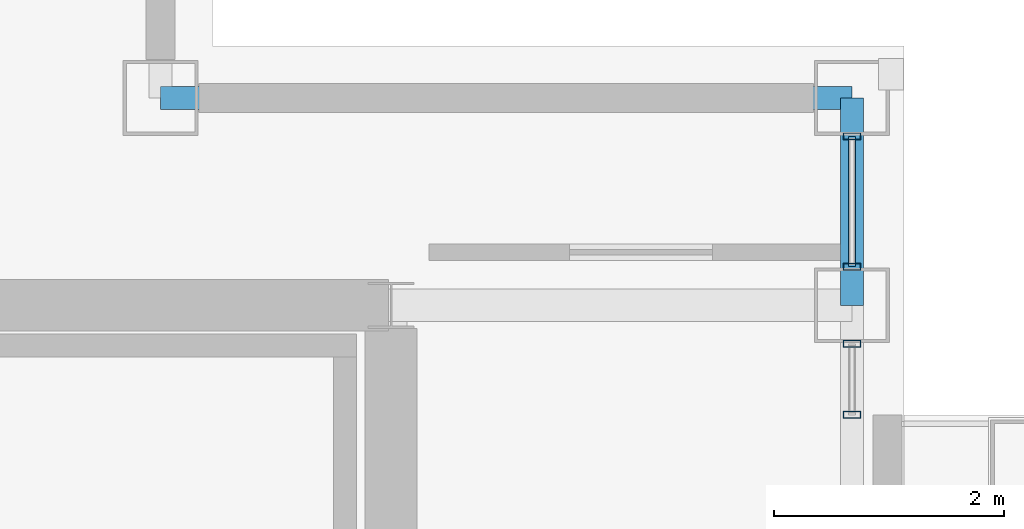
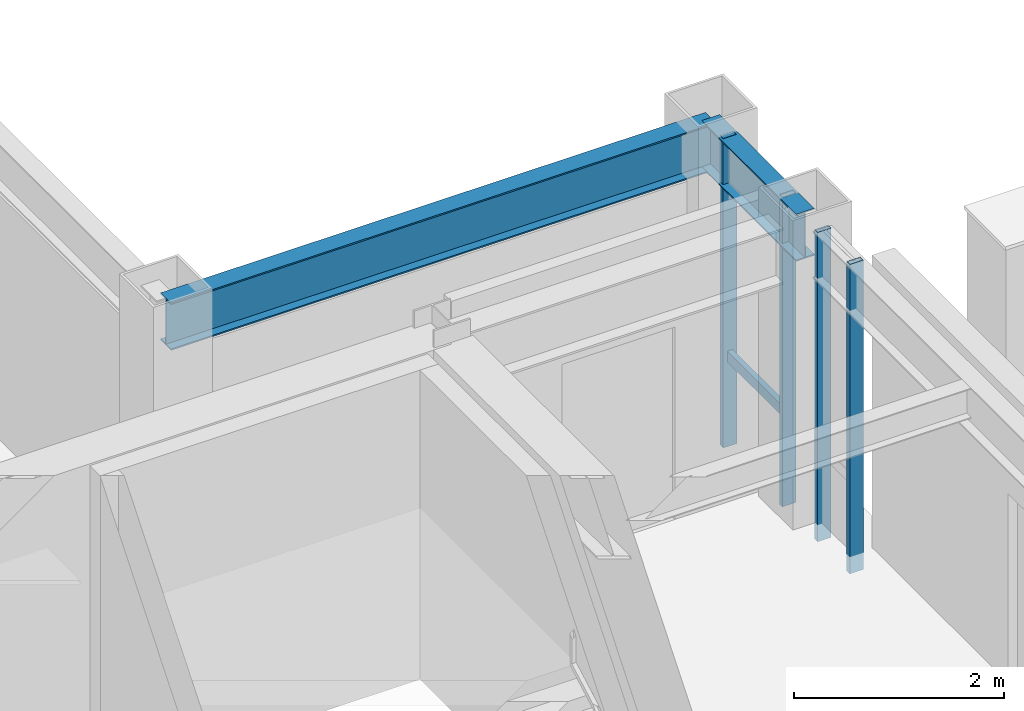
# One storey, part 13 of 24: 5 members, 2 beams, 2 elements without a shape of their own.
"""IFC4 building model written with IfcOpenShell, lengths in metres."""

from ifc_helpers import new_model, si_unit, direction, frame, origin, origin_2d, place, context, subcontext, project, spatial, hollow_rectangle, i_section, extrude, material, layer, layer_set, material_profile, profile_set, type_object, element, aggregate, save


model = new_model("IFC4")

# Units and contexts
model_context = context("Model", 3, precision=1e-05, world=origin(), true_north=direction((0.0, 1.0)))
body_context = subcontext(model_context, "Body", "Model", "MODEL_VIEW")
ifc_project = project(units=[si_unit("LENGTHUNIT", "METRE"), si_unit("AREAUNIT", "SQUARE_METRE"), si_unit("VOLUMEUNIT", "CUBIC_METRE"), si_unit("PLANEANGLEUNIT", "RADIAN"), si_unit("MASSUNIT", "GRAM", prefix="KILO")], contexts=[model_context])

# Site, building, storey
site_placement = place(None, origin())
site = spatial("IfcSite", under=ifc_project, at=site_placement, CompositionType="ELEMENT")
building_placement = place(site_placement, origin())
building = spatial("IfcBuilding", under=site, at=building_placement, Name="Brelmoor Portico Tower", CompositionType="ELEMENT")
storey_placement = place(building_placement, frame((0.0, 0.0, 229.199951171875)))
storey = spatial("IfcBuildingStorey", under=building, at=storey_placement, Name="L60", CompositionType="ELEMENT", Elevation=229.199951171875)

# Beams
ifc_material_1 = material(Name="Steel Q355B", Category="steel")
ifc_material_profile_1 = material_profile(ifc_material_1, i_section(OverallWidth=0.199951171875, OverallDepth=0.550048828125, WebThickness=0.010009765625, FlangeThickness=0.01611328125, at=origin_2d()), Name="HN 550x200x10x16")
ifc_profile_set_1 = profile_set([ifc_material_profile_1], Name="Steel Q355B")
beam_type = type_object("IfcBeamType", Name="BM-SP-550", PredefinedType="SPANDREL", material=ifc_profile_set_1)
beam_1_placement = place(storey_placement, frame((12.550048828125, 11.550048828125, 3.125), z_axis=(1.0, 0.0, 0.0), x_axis=(0.0, 1.0, 0.0)))
element("IfcBeam", 1, at=beam_1_placement, inside=storey, type_object=beam_type, Name="L60 Perimeter Spandrel Beam SP-07", PredefinedType="SPANDREL", context=body_context, shape_type="SweptSolid", body=[
    extrude(i_section(OverallWidth=0.199951171875, OverallDepth=0.550048828125, WebThickness=0.010009765625, FlangeThickness=0.01611328125, at=origin_2d()), origin(), (0.0, 0.0, 1.0), 6.0),
])
beam_2_placement = place(storey_placement, frame((18.550048828125, 9.75, 3.125), z_axis=(0.0, 1.0, 0.0), x_axis=(-1.0, 0.0, 0.0)))
element("IfcBeam", 2, at=beam_2_placement, inside=storey, type_object=beam_type, Name="L60 Perimeter Spandrel Beam SP-20", PredefinedType="SPANDREL", context=body_context, shape_type="SweptSolid", body=[
    extrude(i_section(OverallWidth=0.199951171875, OverallDepth=0.550048828125, WebThickness=0.010009765625, FlangeThickness=0.01611328125, at=origin_2d()), origin(), (0.0, 0.0, 1.0), 1.800048828125),
])

# Curtain wall, members
ifc_material_2 = material(Name="Anodised Aluminium Alloy 6063-T6", Category="aluminium")
ifc_layer = layer(ifc_material_2, 0.179931640625)
ifc_layer_set = layer_set([ifc_layer], Name="Anodised Aluminium Alloy 6063-T6")
curtain_wall_type = type_object("IfcCurtainWallType", Name="CW-TOWER-Z4", PredefinedType="NOTDEFINED", material=ifc_layer_set)
curtain_wall_1_placement = place(storey_placement, origin())
curtain_wall_1 = element("IfcCurtainWall", 3, at=curtain_wall_1_placement, inside=storey, type_object=curtain_wall_type, Name="L60 Curtain Wall CW-L60-4R-1", PredefinedType="NOTDEFINED")
ifc_material_profile_2 = material_profile(ifc_material_2, hollow_rectangle(XDim=0.06005859375, YDim=0.14990234375, WallThickness=0.00390625, at=origin_2d()), Name="ALU MULLION 60x150")
ifc_profile_set_2 = profile_set([ifc_material_profile_2], Name="Anodised Aluminium Alloy 6063-T6")
member_type_1 = type_object("IfcMemberType", Name="MB-CW-MULL-150", PredefinedType="MULLION", material=ifc_profile_set_2)
member_1_placement = place(storey_placement, frame((18.550048828125, 8.800048828125, -0.199951171875), z_axis=(0.0, 0.0, 1.0), x_axis=(0.0, 1.0, 0.0)))
member_1 = element("IfcMember", 4, at=member_1_placement, type_object=member_type_1, Name="CW-L60-4R-1 Mullion 00", PredefinedType="MULLION", context=body_context, shape_type="SweptSolid", body=[
    extrude(hollow_rectangle(XDim=0.06005859375, YDim=0.14990234375, WallThickness=0.00390625, at=origin_2d()), origin(), (0.0, 0.0, 1.0), 3.60009765625),
])
member_2_placement = place(storey_placement, frame((18.550048828125, 9.4150390625, -0.199951171875), z_axis=(0.0, 0.0, 1.0), x_axis=(0.0, 1.0, 0.0)))
member_2 = element("IfcMember", 5, at=member_2_placement, type_object=member_type_1, Name="CW-L60-4R-1 Mullion 01", PredefinedType="MULLION", context=body_context, shape_type="SweptSolid", body=[
    extrude(hollow_rectangle(XDim=0.06005859375, YDim=0.14990234375, WallThickness=0.00390625, at=origin_2d()), origin(), (0.0, 0.0, 1.0), 3.60009765625),
])
aggregate(curtain_wall_1, [member_1, member_2])

curtain_wall_2_placement = place(storey_placement, origin())
curtain_wall_2 = element("IfcCurtainWall", 6, at=curtain_wall_2_placement, inside=storey, type_object=curtain_wall_type, Name="L60 Curtain Wall CW-L60-4R-2", PredefinedType="NOTDEFINED")
member_3_placement = place(storey_placement, frame((18.550048828125, 10.0849609375, -0.199951171875), z_axis=(0.0, 0.0, 1.0), x_axis=(0.0, 1.0, 0.0)))
member_3 = element("IfcMember", 7, at=member_3_placement, type_object=member_type_1, Name="CW-L60-4R-2 Mullion 00", PredefinedType="MULLION", context=body_context, shape_type="SweptSolid", body=[
    extrude(hollow_rectangle(XDim=0.06005859375, YDim=0.14990234375, WallThickness=0.00390625, at=origin_2d()), origin(), (0.0, 0.0, 1.0), 3.60009765625),
])
member_4_placement = place(storey_placement, frame((18.550048828125, 11.215087890625, -0.199951171875), z_axis=(0.0, 0.0, 1.0), x_axis=(0.0, 1.0, 0.0)))
member_4 = element("IfcMember", 8, at=member_4_placement, type_object=member_type_1, Name="CW-L60-4R-2 Mullion 01", PredefinedType="MULLION", context=body_context, shape_type="SweptSolid", body=[
    extrude(hollow_rectangle(XDim=0.06005859375, YDim=0.14990234375, WallThickness=0.00390625, at=origin_2d()), origin(), (0.0, 0.0, 1.0), 3.60009765625),
])
ifc_material_profile_3 = material_profile(ifc_material_2, hollow_rectangle(XDim=0.06005859375, YDim=0.125, WallThickness=0.00341796875, at=origin_2d()), Name="ALU TRANSOM 60x125")
ifc_profile_set_3 = profile_set([ifc_material_profile_3], Name="Anodised Aluminium Alloy 6063-T6")
member_type_2 = type_object("IfcMemberType", Name="MB-CW-TRAN-125", PredefinedType="USERDEFINED", material=ifc_profile_set_3)
member_5_placement = place(storey_placement, frame((18.550048828125, 10.0849609375, 0.85009765625), z_axis=(0.0, 1.0, 0.0), x_axis=(-1.0, 0.0, 0.0)))
member_5 = element("IfcMember", 9, at=member_5_placement, type_object=member_type_2, Name="CW-L60-4R-2 Transom 1-00", ObjectType="TRANSOM", PredefinedType="USERDEFINED", context=body_context, shape_type="SweptSolid", body=[
    extrude(hollow_rectangle(XDim=0.06005859375, YDim=0.125, WallThickness=0.00341796875, at=origin_2d()), origin(), (0.0, 0.0, 1.0), 1.130126953125),
])
aggregate(curtain_wall_2, [member_3, member_4, member_5])

save(model, "model.ifc")
